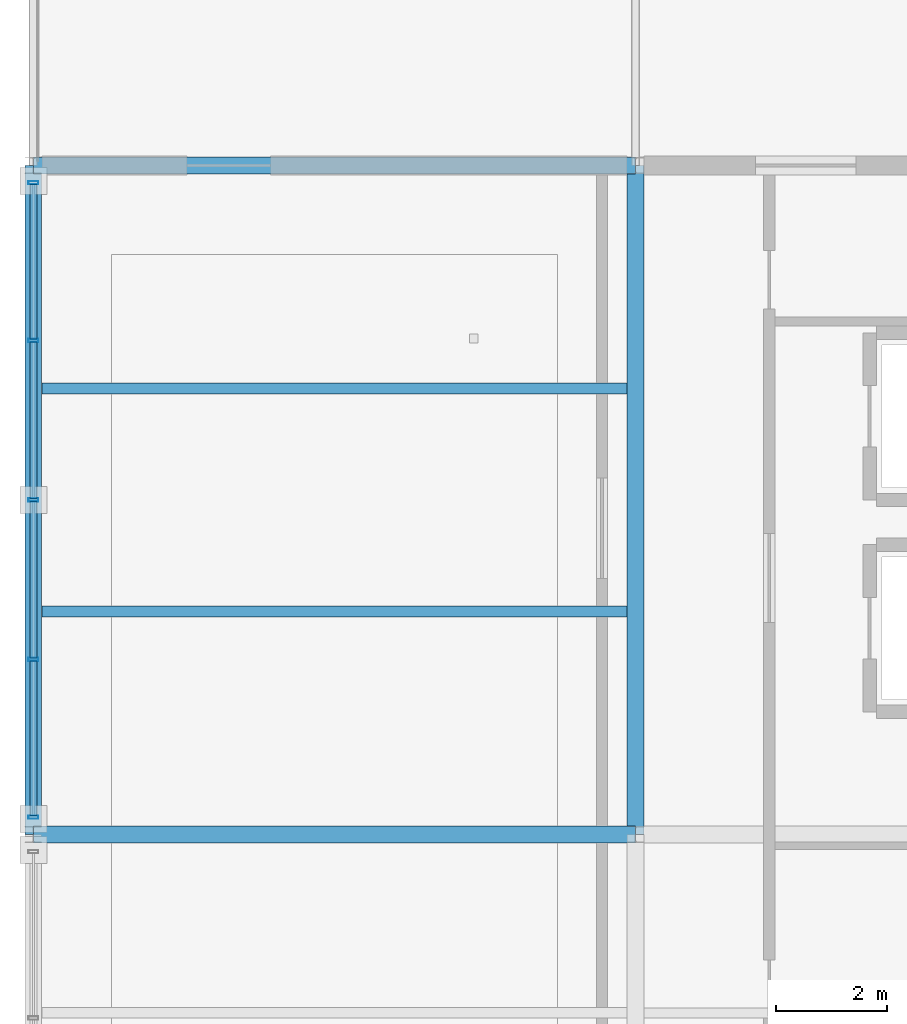
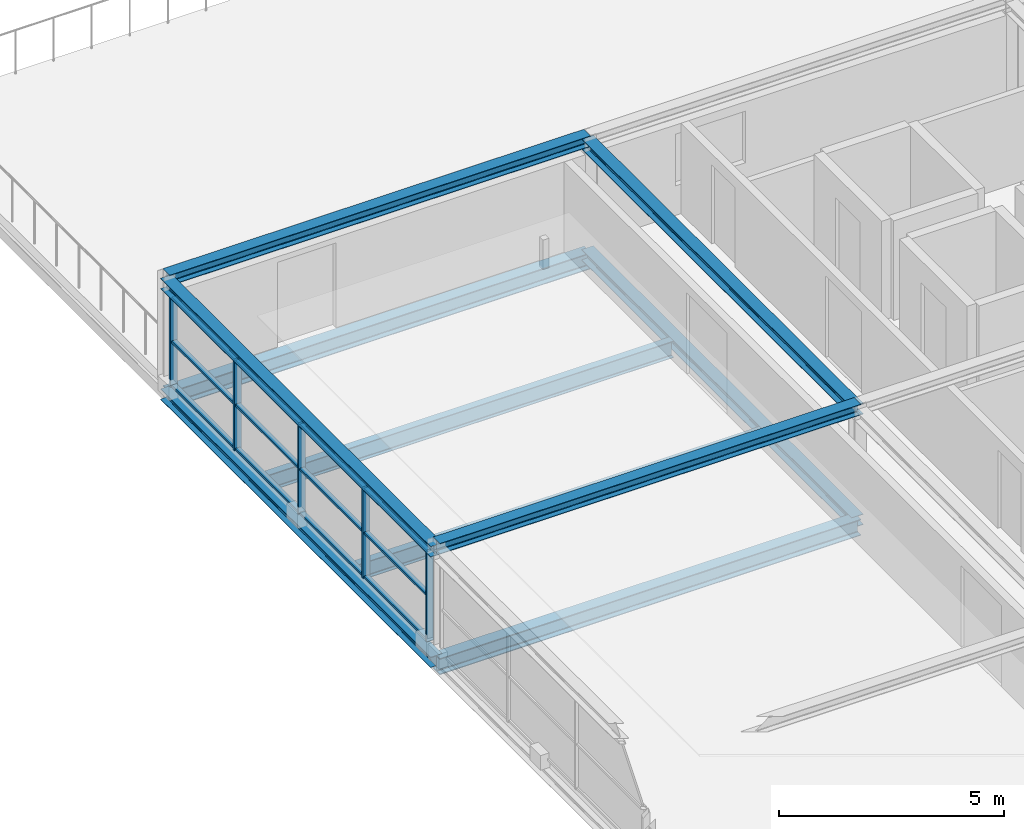
# One storey, part 8 of 14: 17 members, 10 beams, 1 element without a shape of its own.
"""IFC4 building model written with IfcOpenShell, lengths in metres."""

from ifc_helpers import new_model, si_unit, direction, frame, origin, origin_2d, place, context, subcontext, project, spatial, hollow_rectangle, i_section, extrude, material, material_profile, profile_set, type_object, element, aggregate, save


model = new_model("IFC4")

# Units and contexts
model_context = context("Model", 3, precision=1e-05, world=origin(), true_north=direction((0.0, 1.0)))
body_context = subcontext(model_context, "Body", "Model", "MODEL_VIEW")
ifc_project = project(units=[si_unit("LENGTHUNIT", "METRE"), si_unit("AREAUNIT", "SQUARE_METRE"), si_unit("VOLUMEUNIT", "CUBIC_METRE"), si_unit("PLANEANGLEUNIT", "RADIAN"), si_unit("MASSUNIT", "GRAM", prefix="KILO")], contexts=[model_context])

# Site, building, storey
site_placement = place(None, origin())
site = spatial("IfcSite", under=ifc_project, at=site_placement, CompositionType="ELEMENT")
building_placement = place(site_placement, origin())
building = spatial("IfcBuilding", under=site, at=building_placement, Name="Merenkruunu Market Hall", CompositionType="ELEMENT")
storey_placement = place(building_placement, frame((0.0, 0.0, 18.60009765625)))
storey = spatial("IfcBuildingStorey", under=building, at=storey_placement, Name="L04", CompositionType="ELEMENT", Elevation=18.60009765625)

# Curtain wall, members
ifc_material_1 = material(Name="Powder-coated aluminium", Category="aluminium")
curtain_wall_type = type_object("IfcCurtainWallType", Name="Glazed Curtain Wall CW08", PredefinedType="USERDEFINED", material=ifc_material_1)
curtain_wall_placement = place(storey_placement, origin())
curtain_wall = element("IfcCurtainWall", 1, at=curtain_wall_placement, inside=storey, type_object=curtain_wall_type, Name="CW-L04-CWM02-227", ObjectType="GLAZED_FACADE", PredefinedType="USERDEFINED")
ifc_material_profile_1 = material_profile(ifc_material_1, hollow_rectangle(XDim=0.06005859375, YDim=0.179931640625, WallThickness=0.00390625, at=origin_2d()), Name="ALU 60x180x4")
ifc_profile_set_1 = profile_set([ifc_material_profile_1], Name="Powder-coated aluminium")
member_type_1 = type_object("IfcMemberType", Name="Curtain Wall Mullion CWM02", PredefinedType="MULLION", material=ifc_profile_set_1)
member_1_placement = place(storey_placement, frame((159.60009765625, 15.909912109375, 0.0), z_axis=(0.0, 0.0, 1.0), x_axis=(0.0, 1.0, 0.0)))
member_1 = element("IfcMember", 2, at=member_1_placement, type_object=member_type_1, Name="CW08 mullion 1", PredefinedType="MULLION", context=body_context, shape_type="SweptSolid", body=[
    extrude(hollow_rectangle(XDim=0.06005859375, YDim=0.179931640625, WallThickness=0.00390625, at=origin_2d()), origin(), (0.0, 0.0, 1.0), 2.449951171875),
])
member_2_placement = place(storey_placement, frame((159.60009765625, 18.739990234375, 0.0), z_axis=(0.0, 0.0, 1.0), x_axis=(0.0, 1.0, 0.0)))
member_2 = element("IfcMember", 3, at=member_2_placement, type_object=member_type_1, Name="CW08 mullion 2", PredefinedType="MULLION", context=body_context, shape_type="SweptSolid", body=[
    extrude(hollow_rectangle(XDim=0.06005859375, YDim=0.179931640625, WallThickness=0.00390625, at=origin_2d()), origin(), (0.0, 0.0, 1.0), 2.449951171875),
])
member_3_placement = place(storey_placement, frame((159.60009765625, 21.60009765625, 0.0), z_axis=(0.0, 0.0, 1.0), x_axis=(0.0, 1.0, 0.0)))
member_3 = element("IfcMember", 4, at=member_3_placement, type_object=member_type_1, Name="CW08 mullion 3", PredefinedType="MULLION", context=body_context, shape_type="SweptSolid", body=[
    extrude(hollow_rectangle(XDim=0.06005859375, YDim=0.179931640625, WallThickness=0.00390625, at=origin_2d()), origin(), (0.0, 0.0, 1.0), 2.449951171875),
])
member_4_placement = place(storey_placement, frame((159.60009765625, 24.4599609375, 0.0), z_axis=(0.0, 0.0, 1.0), x_axis=(0.0, 1.0, 0.0)))
member_4 = element("IfcMember", 5, at=member_4_placement, type_object=member_type_1, Name="CW08 mullion 4", PredefinedType="MULLION", context=body_context, shape_type="SweptSolid", body=[
    extrude(hollow_rectangle(XDim=0.06005859375, YDim=0.179931640625, WallThickness=0.00390625, at=origin_2d()), origin(), (0.0, 0.0, 1.0), 2.449951171875),
])
member_5_placement = place(storey_placement, frame((159.60009765625, 27.2900390625, 0.0), z_axis=(0.0, 0.0, 1.0), x_axis=(0.0, 1.0, 0.0)))
member_5 = element("IfcMember", 6, at=member_5_placement, type_object=member_type_1, Name="CW08 mullion 5", PredefinedType="MULLION", context=body_context, shape_type="SweptSolid", body=[
    extrude(hollow_rectangle(XDim=0.06005859375, YDim=0.179931640625, WallThickness=0.00390625, at=origin_2d()), origin(), (0.0, 0.0, 1.0), 2.449951171875),
])
ifc_material_profile_2 = material_profile(ifc_material_1, hollow_rectangle(XDim=0.06005859375, YDim=0.125, WallThickness=0.00390625, at=origin_2d()), Name="ALU 60x125x4")
ifc_profile_set_2 = profile_set([ifc_material_profile_2], Name="Powder-coated aluminium")
member_type_2 = type_object("IfcMemberType", Name="Curtain Wall Transom CWT01", PredefinedType="USERDEFINED", material=ifc_profile_set_2)
member_6_placement = place(storey_placement, frame((159.60009765625, 15.93994140625, 0.02978515625), z_axis=(0.0, 1.0, 0.0), x_axis=(0.0, 0.0, 1.0)))
member_6 = element("IfcMember", 7, at=member_6_placement, type_object=member_type_2, Name="CW08 transom 1.1", ObjectType="TRANSOM", PredefinedType="USERDEFINED", context=body_context, shape_type="SweptSolid", body=[
    extrude(hollow_rectangle(XDim=0.06005859375, YDim=0.125, WallThickness=0.00390625, at=origin_2d()), origin(), (0.0, 0.0, 1.0), 2.77001953125),
])
member_7_placement = place(storey_placement, frame((159.60009765625, 15.93994140625, 1.224853515625), z_axis=(0.0, 1.0, 0.0), x_axis=(0.0, 0.0, 1.0)))
member_7 = element("IfcMember", 8, at=member_7_placement, type_object=member_type_2, Name="CW08 transom 1.2", ObjectType="TRANSOM", PredefinedType="USERDEFINED", context=body_context, shape_type="SweptSolid", body=[
    extrude(hollow_rectangle(XDim=0.06005859375, YDim=0.125, WallThickness=0.00390625, at=origin_2d()), origin(), (0.0, 0.0, 1.0), 2.77001953125),
])
member_8_placement = place(storey_placement, frame((159.60009765625, 15.93994140625, 2.419921875), z_axis=(0.0, 1.0, 0.0), x_axis=(0.0, 0.0, 1.0)))
member_8 = element("IfcMember", 9, at=member_8_placement, type_object=member_type_2, Name="CW08 transom 1.3", ObjectType="TRANSOM", PredefinedType="USERDEFINED", context=body_context, shape_type="SweptSolid", body=[
    extrude(hollow_rectangle(XDim=0.06005859375, YDim=0.125, WallThickness=0.00390625, at=origin_2d()), origin(), (0.0, 0.0, 1.0), 2.77001953125),
])
member_9_placement = place(storey_placement, frame((159.60009765625, 18.77001953125, 0.02978515625), z_axis=(0.0, 1.0, 0.0), x_axis=(0.0, 0.0, 1.0)))
member_9 = element("IfcMember", 10, at=member_9_placement, type_object=member_type_2, Name="CW08 transom 2.1", ObjectType="TRANSOM", PredefinedType="USERDEFINED", context=body_context, shape_type="SweptSolid", body=[
    extrude(hollow_rectangle(XDim=0.06005859375, YDim=0.125, WallThickness=0.00390625, at=origin_2d()), origin(), (0.0, 0.0, 1.0), 2.800048828125),
])
member_10_placement = place(storey_placement, frame((159.60009765625, 18.77001953125, 1.224853515625), z_axis=(0.0, 1.0, 0.0), x_axis=(0.0, 0.0, 1.0)))
member_10 = element("IfcMember", 11, at=member_10_placement, type_object=member_type_2, Name="CW08 transom 2.2", ObjectType="TRANSOM", PredefinedType="USERDEFINED", context=body_context, shape_type="SweptSolid", body=[
    extrude(hollow_rectangle(XDim=0.06005859375, YDim=0.125, WallThickness=0.00390625, at=origin_2d()), origin(), (0.0, 0.0, 1.0), 2.800048828125),
])
member_11_placement = place(storey_placement, frame((159.60009765625, 18.77001953125, 2.419921875), z_axis=(0.0, 1.0, 0.0), x_axis=(0.0, 0.0, 1.0)))
member_11 = element("IfcMember", 12, at=member_11_placement, type_object=member_type_2, Name="CW08 transom 2.3", ObjectType="TRANSOM", PredefinedType="USERDEFINED", context=body_context, shape_type="SweptSolid", body=[
    extrude(hollow_rectangle(XDim=0.06005859375, YDim=0.125, WallThickness=0.00390625, at=origin_2d()), origin(), (0.0, 0.0, 1.0), 2.800048828125),
])
member_12_placement = place(storey_placement, frame((159.60009765625, 21.6298828125, 0.02978515625), z_axis=(0.0, 1.0, 0.0), x_axis=(0.0, 0.0, 1.0)))
member_12 = element("IfcMember", 13, at=member_12_placement, type_object=member_type_2, Name="CW08 transom 3.1", ObjectType="TRANSOM", PredefinedType="USERDEFINED", context=body_context, shape_type="SweptSolid", body=[
    extrude(hollow_rectangle(XDim=0.06005859375, YDim=0.125, WallThickness=0.00390625, at=origin_2d()), origin(), (0.0, 0.0, 1.0), 2.800048828125),
])
member_13_placement = place(storey_placement, frame((159.60009765625, 21.6298828125, 1.224853515625), z_axis=(0.0, 1.0, 0.0), x_axis=(0.0, 0.0, 1.0)))
member_13 = element("IfcMember", 14, at=member_13_placement, type_object=member_type_2, Name="CW08 transom 3.2", ObjectType="TRANSOM", PredefinedType="USERDEFINED", context=body_context, shape_type="SweptSolid", body=[
    extrude(hollow_rectangle(XDim=0.06005859375, YDim=0.125, WallThickness=0.00390625, at=origin_2d()), origin(), (0.0, 0.0, 1.0), 2.800048828125),
])
member_14_placement = place(storey_placement, frame((159.60009765625, 21.6298828125, 2.419921875), z_axis=(0.0, 1.0, 0.0), x_axis=(0.0, 0.0, 1.0)))
member_14 = element("IfcMember", 15, at=member_14_placement, type_object=member_type_2, Name="CW08 transom 3.3", ObjectType="TRANSOM", PredefinedType="USERDEFINED", context=body_context, shape_type="SweptSolid", body=[
    extrude(hollow_rectangle(XDim=0.06005859375, YDim=0.125, WallThickness=0.00390625, at=origin_2d()), origin(), (0.0, 0.0, 1.0), 2.800048828125),
])
member_15_placement = place(storey_placement, frame((159.60009765625, 24.489990234375, 0.02978515625), z_axis=(0.0, 1.0, 0.0), x_axis=(0.0, 0.0, 1.0)))
member_15 = element("IfcMember", 16, at=member_15_placement, type_object=member_type_2, Name="CW08 transom 4.1", ObjectType="TRANSOM", PredefinedType="USERDEFINED", context=body_context, shape_type="SweptSolid", body=[
    extrude(hollow_rectangle(XDim=0.06005859375, YDim=0.125, WallThickness=0.00390625, at=origin_2d()), origin(), (0.0, 0.0, 1.0), 2.77001953125),
])
member_16_placement = place(storey_placement, frame((159.60009765625, 24.489990234375, 1.224853515625), z_axis=(0.0, 1.0, 0.0), x_axis=(0.0, 0.0, 1.0)))
member_16 = element("IfcMember", 17, at=member_16_placement, type_object=member_type_2, Name="CW08 transom 4.2", ObjectType="TRANSOM", PredefinedType="USERDEFINED", context=body_context, shape_type="SweptSolid", body=[
    extrude(hollow_rectangle(XDim=0.06005859375, YDim=0.125, WallThickness=0.00390625, at=origin_2d()), origin(), (0.0, 0.0, 1.0), 2.77001953125),
])
member_17_placement = place(storey_placement, frame((159.60009765625, 24.489990234375, 2.419921875), z_axis=(0.0, 1.0, 0.0), x_axis=(0.0, 0.0, 1.0)))
member_17 = element("IfcMember", 18, at=member_17_placement, type_object=member_type_2, Name="CW08 transom 4.3", ObjectType="TRANSOM", PredefinedType="USERDEFINED", context=body_context, shape_type="SweptSolid", body=[
    extrude(hollow_rectangle(XDim=0.06005859375, YDim=0.125, WallThickness=0.00390625, at=origin_2d()), origin(), (0.0, 0.0, 1.0), 2.77001953125),
])
aggregate(curtain_wall, [member_1, member_2, member_3, member_4, member_5, member_6, member_7, member_8, member_9, member_10, member_11, member_12, member_13, member_14, member_15, member_16, member_17])

# Beams
ifc_material_2 = material(Name="Steel S355J2", Category="steel")
ifc_material_profile_3 = material_profile(ifc_material_2, i_section(OverallWidth=0.300048828125, OverallDepth=0.43994140625, WebThickness=0.011474609375, FlangeThickness=0.02099609375, FilletRadius=0.027099609375, at=origin_2d()), Name="HEA 450")
ifc_profile_set_3 = profile_set([ifc_material_profile_3], Name="Steel S355J2")
beam_type_1 = type_object("IfcBeamType", Name="Primary Floor Girder B07", PredefinedType="BEAM", material=ifc_profile_set_3)
for number, where, z_axis, x_axis, name in (
    (19, (159.60009765625, 15.60009765625, -0.440185546875), (1.0, 0.0, 0.0), (0.0, 1.0, 0.0), "BM-L04-B07-0921"),
    (20, (159.60009765625, 27.60009765625, -0.489990234375), (1.0, 0.0, 0.0), (0.0, 1.0, 0.0), "BM-L04-B07-0924"),
):
    element("IfcBeam", number, at=place(storey_placement, frame(where, z_axis=z_axis, x_axis=x_axis)), inside=storey, type_object=beam_type_1, Name=name, PredefinedType="BEAM", context=body_context, shape_type="SweptSolid", body=[
        extrude(i_section(OverallWidth=0.300048828125, OverallDepth=0.43994140625, WebThickness=0.011474609375, FlangeThickness=0.02099609375, FilletRadius=0.027099609375, at=origin_2d()), origin(), (0.0, 0.0, 1.0), 10.7998046875),
    ])
ifc_material_profile_4 = material_profile(ifc_material_2, i_section(OverallWidth=0.300048828125, OverallDepth=0.2900390625, WebThickness=0.008544921875, FlangeThickness=0.013916015625, FilletRadius=0.027099609375, at=origin_2d()), Name="HEA 300")
ifc_profile_set_4 = profile_set([ifc_material_profile_4], Name="Steel S355J2")
beam_type_2 = type_object("IfcBeamType", Name="Primary Floor Girder B09", PredefinedType="BEAM", material=ifc_profile_set_4)
for number, where, z_axis, x_axis, name in (
    (21, (159.60009765625, 15.60009765625, -0.364990234375), (0.0, 1.0, 0.0), (-1.0, 0.0, 0.0), "BM-L04-B09-0932"),
    (22, (170.39990234375, 15.60009765625, -0.364990234375), (0.0, 1.0, 0.0), (-1.0, 0.0, 0.0), "BM-L04-B09-0936"),
):
    element("IfcBeam", number, at=place(storey_placement, frame(where, z_axis=z_axis, x_axis=x_axis)), inside=storey, type_object=beam_type_2, Name=name, PredefinedType="BEAM", context=body_context, shape_type="SweptSolid", body=[
        extrude(i_section(OverallWidth=0.300048828125, OverallDepth=0.2900390625, WebThickness=0.008544921875, FlangeThickness=0.013916015625, FilletRadius=0.027099609375, at=origin_2d()), origin(), (0.0, 0.0, 1.0), 12.0),
    ])
for number, where, z_axis, x_axis, name in (
    (23, (159.60009765625, 15.60009765625, 2.7548828125), (1.0, 0.0, 0.0), (0.0, 1.0, 0.0), "BM-L04-B09-1315"),
    (24, (159.60009765625, 27.60009765625, 2.7548828125), (1.0, 0.0, 0.0), (0.0, 1.0, 0.0), "BM-L04-B09-1318"),
):
    element("IfcBeam", number, at=place(storey_placement, frame(where, z_axis=z_axis, x_axis=x_axis)), inside=storey, type_object=beam_type_2, Name=name, PredefinedType="BEAM", context=body_context, shape_type="SweptSolid", body=[
        extrude(i_section(OverallWidth=0.300048828125, OverallDepth=0.2900390625, WebThickness=0.008544921875, FlangeThickness=0.013916015625, FilletRadius=0.027099609375, at=origin_2d()), origin(), (0.0, 0.0, 1.0), 10.7998046875),
    ])
for number, where, z_axis, x_axis, name in (
    (25, (159.60009765625, 15.60009765625, 2.635009765625), (0.0, 1.0, 0.0), (-1.0, 0.0, 0.0), "BM-L04-B09-1323"),
    (26, (170.39990234375, 15.60009765625, 2.635009765625), (0.0, 1.0, 0.0), (-1.0, 0.0, 0.0), "BM-L04-B09-1326"),
):
    element("IfcBeam", number, at=place(storey_placement, frame(where, z_axis=z_axis, x_axis=x_axis)), inside=storey, type_object=beam_type_2, Name=name, PredefinedType="BEAM", context=body_context, shape_type="SweptSolid", body=[
        extrude(i_section(OverallWidth=0.300048828125, OverallDepth=0.2900390625, WebThickness=0.008544921875, FlangeThickness=0.013916015625, FilletRadius=0.027099609375, at=origin_2d()), origin(), (0.0, 0.0, 1.0), 12.0),
    ])
ifc_material_profile_5 = material_profile(ifc_material_2, i_section(OverallWidth=0.18994140625, OverallDepth=0.449951171875, WebThickness=0.009521484375, FlangeThickness=0.0146484375, FilletRadius=0.02099609375, at=origin_2d()), Name="IPE 450")
ifc_profile_set_5 = profile_set([ifc_material_profile_5], Name="Steel S355J2")
beam_type_3 = type_object("IfcBeamType", Name="Secondary Floor Joist J01", PredefinedType="JOIST", material=ifc_profile_set_5)
for number, where, z_axis, x_axis, name in (
    (27, (159.7529296875, 19.60009765625, -0.445068359375), (1.0, 0.0, 0.0), (0.0, 1.0, 0.0), "BM-L04-J01-0949"),
    (28, (159.7529296875, 23.60009765625, -0.445068359375), (1.0, 0.0, 0.0), (0.0, 1.0, 0.0), "BM-L04-J01-0950"),
):
    element("IfcBeam", number, at=place(storey_placement, frame(where, z_axis=z_axis, x_axis=x_axis)), inside=storey, type_object=beam_type_3, Name=name, PredefinedType="JOIST", context=body_context, shape_type="SweptSolid", body=[
        extrude(i_section(OverallWidth=0.18994140625, OverallDepth=0.449951171875, WebThickness=0.009521484375, FlangeThickness=0.0146484375, FilletRadius=0.02099609375, at=origin_2d()), origin(), (0.0, 0.0, 1.0), 10.494140625),
    ])

save(model, "model.ifc")
